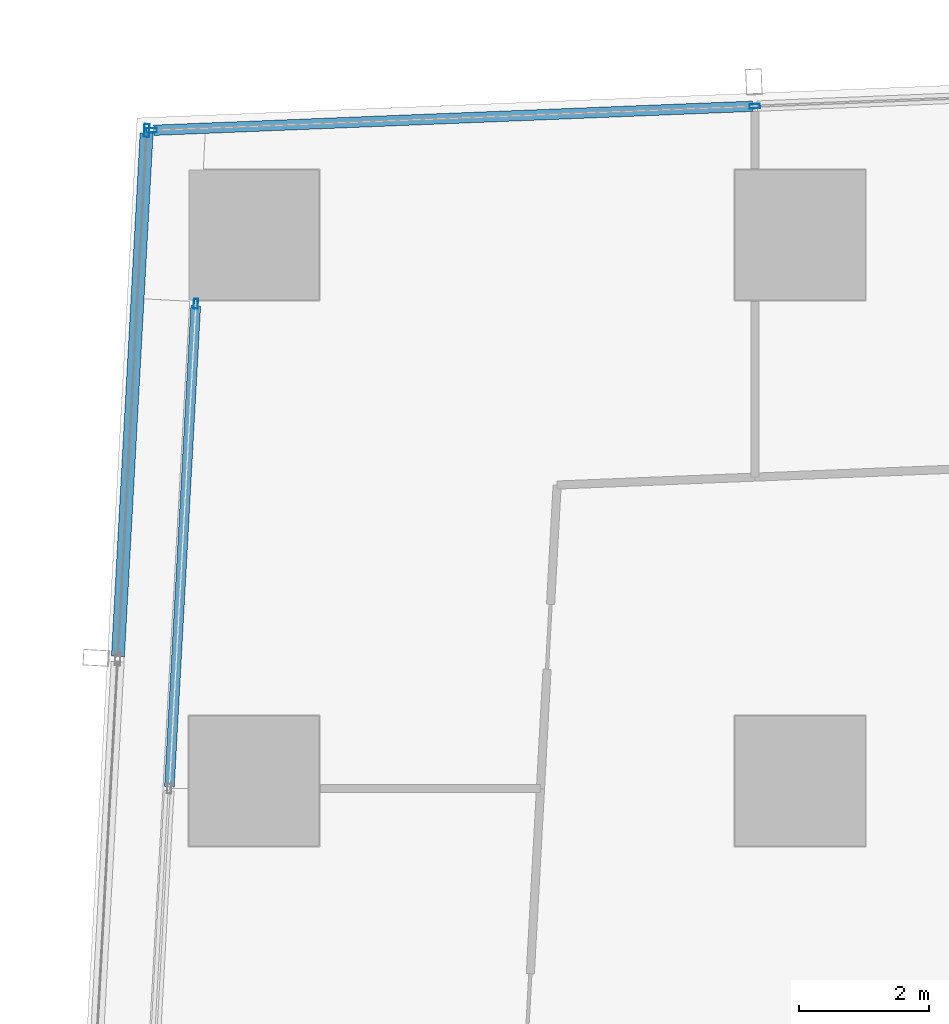
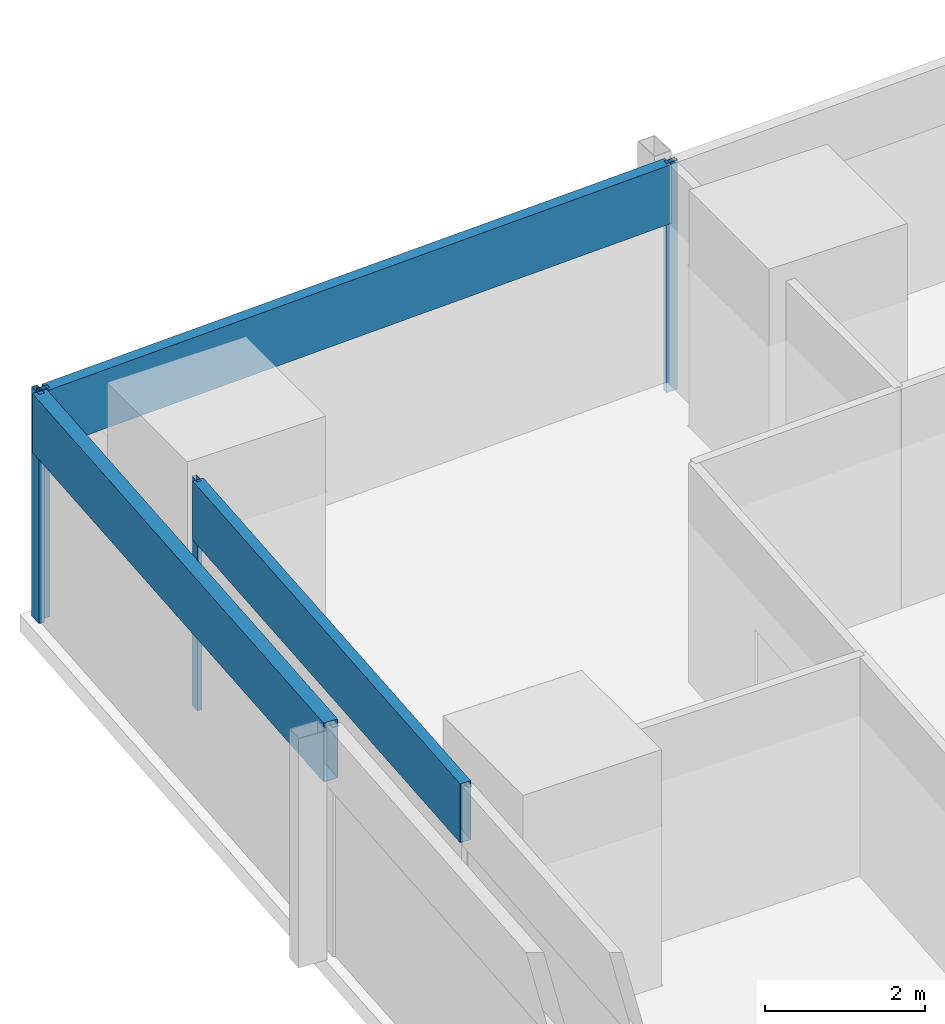
# One storey, part 15 of 39: 7 members, 3 elements without a shape of their own.
"""IFC4 building model written with IfcOpenShell, lengths in metres."""

from ifc_helpers import new_model, si_unit, direction, frame, origin, origin_2d, place, context, subcontext, project, spatial, hollow_rectangle, extrude, material, material_profile, profile_set, type_object, element, aggregate, save


model = new_model("IFC4")

# Units and contexts
model_context = context("Model", 3, precision=1e-05, world=origin(), true_north=direction((0.0, 1.0)))
body_context = subcontext(model_context, "Body", "Model", "MODEL_VIEW")
ifc_project = project(units=[si_unit("LENGTHUNIT", "METRE"), si_unit("AREAUNIT", "SQUARE_METRE"), si_unit("VOLUMEUNIT", "CUBIC_METRE"), si_unit("PLANEANGLEUNIT", "RADIAN"), si_unit("MASSUNIT", "GRAM", prefix="KILO")], contexts=[model_context])

# Site, building, storey
site_placement = place(None, origin())
site = spatial("IfcSite", under=ifc_project, at=site_placement, CompositionType="ELEMENT")
building_placement = place(site_placement, origin())
building = spatial("IfcBuilding", under=site, at=building_placement, Name="Rekha Terrace Tower", CompositionType="ELEMENT")
storey_placement = place(building_placement, frame((0.0, 0.0, 147.800048828125)))
storey = spatial("IfcBuildingStorey", under=building, at=storey_placement, Name="L37", CompositionType="ELEMENT", Elevation=147.800048828125)

# Curtain wall, members
ifc_material_1 = material(Name="Aluminium framing", Category="aluminium")
curtain_wall_type_1 = type_object("IfcCurtainWallType", Name="CW1 double skin inner glazing", PredefinedType="USERDEFINED", material=ifc_material_1)
curtain_wall_1_placement = place(storey_placement, origin())
curtain_wall_1 = element("IfcCurtainWall", 1, at=curtain_wall_1_placement, inside=storey, type_object=curtain_wall_type_1, Name="CW1 double skin inner glazing", ObjectType="DOUBLE SKIN INNER GLAZING", PredefinedType="USERDEFINED")
ifc_material_2 = material(Name="Aluminium mullion section", Category="aluminium")
ifc_material_profile_1 = material_profile(ifc_material_2, hollow_rectangle(XDim=0.06494140625, YDim=0.14990234375, WallThickness=0.00390625, at=origin_2d()), Name="AL RHS 65x150")
ifc_profile_set_1 = profile_set([ifc_material_profile_1], Name="Aluminium mullion section")
member_type_1 = type_object("IfcMemberType", Name="CW1 mullion RHS 65 x 150", PredefinedType="MULLION", material=ifc_profile_set_1)
member_1_placement = place(storey_placement, frame((7.5048828125, 57.742431640625, 0.0), z_axis=(0.0, 0.0, 1.0), x_axis=(0.99850051318, -0.054742352707, 0.0)))
member_1 = element("IfcMember", 2, at=member_1_placement, type_object=member_type_1, Name="CW1 mullion 1", PredefinedType="MULLION", context=body_context, shape_type="SweptSolid", body=[
    extrude(hollow_rectangle(XDim=0.06494140625, YDim=0.14990234375, WallThickness=0.00390625, at=origin_2d()), origin(), (0.0, 0.0, 1.0), 3.5),
])
ifc_material_3 = material(Name="Insulated aluminium spandrel box", Category="aluminium")
ifc_material_profile_2 = material_profile(ifc_material_3, hollow_rectangle(XDim=0.14990234375, YDim=0.89990234375, WallThickness=0.0029296875, at=origin_2d()), Name="AL SPANDREL BOX 150x900")
ifc_profile_set_2 = profile_set([ifc_material_profile_2], Name="Insulated aluminium spandrel box")
member_type_2 = type_object("IfcMemberType", Name="CW1 spandrel transom 150 x 900", PredefinedType="USERDEFINED", material=ifc_profile_set_2)
member_2_placement = place(storey_placement, frame((7.503173828125, 57.7099609375, 3.050048828125), z_axis=(-0.054735864287, -0.998500868883, 0.0), x_axis=(0.998500868883, -0.054735864287, 0.0)))
member_2 = element("IfcMember", 3, at=member_2_placement, type_object=member_type_2, Name="CW1 spandrel transom 1", ObjectType="TRANSOM", PredefinedType="USERDEFINED", context=body_context, shape_type="SweptSolid", body=[
    extrude(hollow_rectangle(XDim=0.14990234375, YDim=0.89990234375, WallThickness=0.0029296875, at=origin_2d()), origin(), (0.0, 0.0, 1.0), 7.404052734375),
])
aggregate(curtain_wall_1, [member_1, member_2])

curtain_wall_type_2 = type_object("IfcCurtainWallType", Name="CW2 double skin outer glazing", PredefinedType="USERDEFINED", material=ifc_material_1)
curtain_wall_2_placement = place(storey_placement, origin())
curtain_wall_2 = element("IfcCurtainWall", 4, at=curtain_wall_2_placement, inside=storey, type_object=curtain_wall_type_2, Name="CW2 double skin outer glazing", ObjectType="DOUBLE SKIN OUTER GLAZING", PredefinedType="USERDEFINED")
ifc_material_profile_3 = material_profile(ifc_material_2, hollow_rectangle(XDim=0.080078125, YDim=0.199951171875, WallThickness=0.00390625, at=origin_2d()), Name="AL RHS 80x200")
ifc_profile_set_3 = profile_set([ifc_material_profile_3], Name="Aluminium mullion section")
member_type_3 = type_object("IfcMemberType", Name="CW2 mullion RHS 80 x 200", PredefinedType="MULLION", material=ifc_profile_set_3)
member_3_placement = place(storey_placement, frame((6.74951171875, 60.406005859375, 0.0), z_axis=(0.0, 0.0, 1.0), x_axis=(0.99850051318, -0.054742352707, 0.0)))
member_3 = element("IfcMember", 5, at=member_3_placement, type_object=member_type_3, Name="CW2 mullion 1", PredefinedType="MULLION", context=body_context, shape_type="SweptSolid", body=[
    extrude(hollow_rectangle(XDim=0.080078125, YDim=0.199951171875, WallThickness=0.00390625, at=origin_2d()), origin(), (0.0, 0.0, 1.0), 3.5),
])
ifc_material_profile_4 = material_profile(ifc_material_3, hollow_rectangle(XDim=0.199951171875, YDim=0.89990234375, WallThickness=0.0029296875, at=origin_2d()), Name="AL SPANDREL BOX 200x900")
ifc_profile_set_4 = profile_set([ifc_material_profile_4], Name="Insulated aluminium spandrel box")
member_type_4 = type_object("IfcMemberType", Name="CW2 spandrel transom 200 x 900", PredefinedType="USERDEFINED", material=ifc_profile_set_4)
member_4_placement = place(storey_placement, frame((6.747314453125, 60.365966796875, 3.050048828125), z_axis=(-0.054735200093, -0.998500905293, 0.0), x_axis=(0.998500905293, -0.054735200093, 0.0)))
member_4 = element("IfcMember", 6, at=member_4_placement, type_object=member_type_4, Name="CW2 spandrel transom 1", ObjectType="TRANSOM", PredefinedType="USERDEFINED", context=body_context, shape_type="SweptSolid", body=[
    extrude(hollow_rectangle(XDim=0.199951171875, YDim=0.89990234375, WallThickness=0.0029296875, at=origin_2d()), origin(), (0.0, 0.0, 1.0), 8.059814453125),
])
aggregate(curtain_wall_2, [member_3, member_4])

curtain_wall_type_3 = type_object("IfcCurtainWallType", Name="CW3 north unitised glazing", PredefinedType="USERDEFINED", material=ifc_material_1)
curtain_wall_3_placement = place(storey_placement, origin())
curtain_wall_3 = element("IfcCurtainWall", 7, at=curtain_wall_3_placement, inside=storey, type_object=curtain_wall_type_3, Name="CW3 unitised curtain wall", ObjectType="UNITISED CURTAIN WALL", PredefinedType="USERDEFINED")
ifc_material_profile_5 = material_profile(ifc_material_2, hollow_rectangle(XDim=0.070068359375, YDim=0.159912109375, WallThickness=0.00390625, at=origin_2d()), Name="AL RHS 70x160")
ifc_profile_set_5 = profile_set([ifc_material_profile_5], Name="Aluminium mullion section")
member_type_5 = type_object("IfcMemberType", Name="CW3 mullion RHS 70 x 160", PredefinedType="MULLION", material=ifc_profile_set_5)
member_5_placement = place(storey_placement, frame((16.101806640625, 60.780517578125, 0.0), z_axis=(0.0, 0.0, 1.0), x_axis=(0.040031987119, -0.999198398721, 0.0)))
member_5 = element("IfcMember", 8, at=member_5_placement, type_object=member_type_5, Name="CW3 mullion 4", PredefinedType="MULLION", context=body_context, shape_type="SweptSolid", body=[
    extrude(hollow_rectangle(XDim=0.070068359375, YDim=0.159912109375, WallThickness=0.00390625, at=origin_2d()), origin(), (0.0, 0.0, 1.0), 3.5),
])
member_6_placement = place(storey_placement, frame((6.82470703125, 60.408935546875, 0.0), z_axis=(0.0, 0.0, 1.0), x_axis=(0.040031987119, -0.999198398721, 0.0)))
member_6 = element("IfcMember", 9, at=member_6_placement, type_object=member_type_5, Name="CW3 mullion 5", PredefinedType="MULLION", context=body_context, shape_type="SweptSolid", body=[
    extrude(hollow_rectangle(XDim=0.070068359375, YDim=0.159912109375, WallThickness=0.00390625, at=origin_2d()), origin(), (0.0, 0.0, 1.0), 3.5),
])
ifc_material_profile_6 = material_profile(ifc_material_3, hollow_rectangle(XDim=0.159912109375, YDim=0.89990234375, WallThickness=0.0029296875, at=origin_2d()), Name="AL SPANDREL BOX 160x900")
ifc_profile_set_6 = profile_set([ifc_material_profile_6], Name="Insulated aluminium spandrel box")
member_type_6 = type_object("IfcMemberType", Name="CW3 spandrel transom 160 x 900", PredefinedType="USERDEFINED", material=ifc_profile_set_6)
member_7_placement = place(storey_placement, frame((16.06689453125, 60.779052734375, 3.050048828125), z_axis=(-0.999198332483, -0.040033640399, 0.0), x_axis=(0.040033640399, -0.999198332483, 0.0)))
member_7 = element("IfcMember", 10, at=member_7_placement, type_object=member_type_6, Name="CW3 spandrel transom 4", ObjectType="TRANSOM", PredefinedType="USERDEFINED", context=body_context, shape_type="SweptSolid", body=[
    extrude(hollow_rectangle(XDim=0.159912109375, YDim=0.89990234375, WallThickness=0.0029296875, at=origin_2d()), origin(), (0.0, 0.0, 1.0), 9.214599609375),
])
aggregate(curtain_wall_3, [member_5, member_6, member_7])

save(model, "model.ifc")
